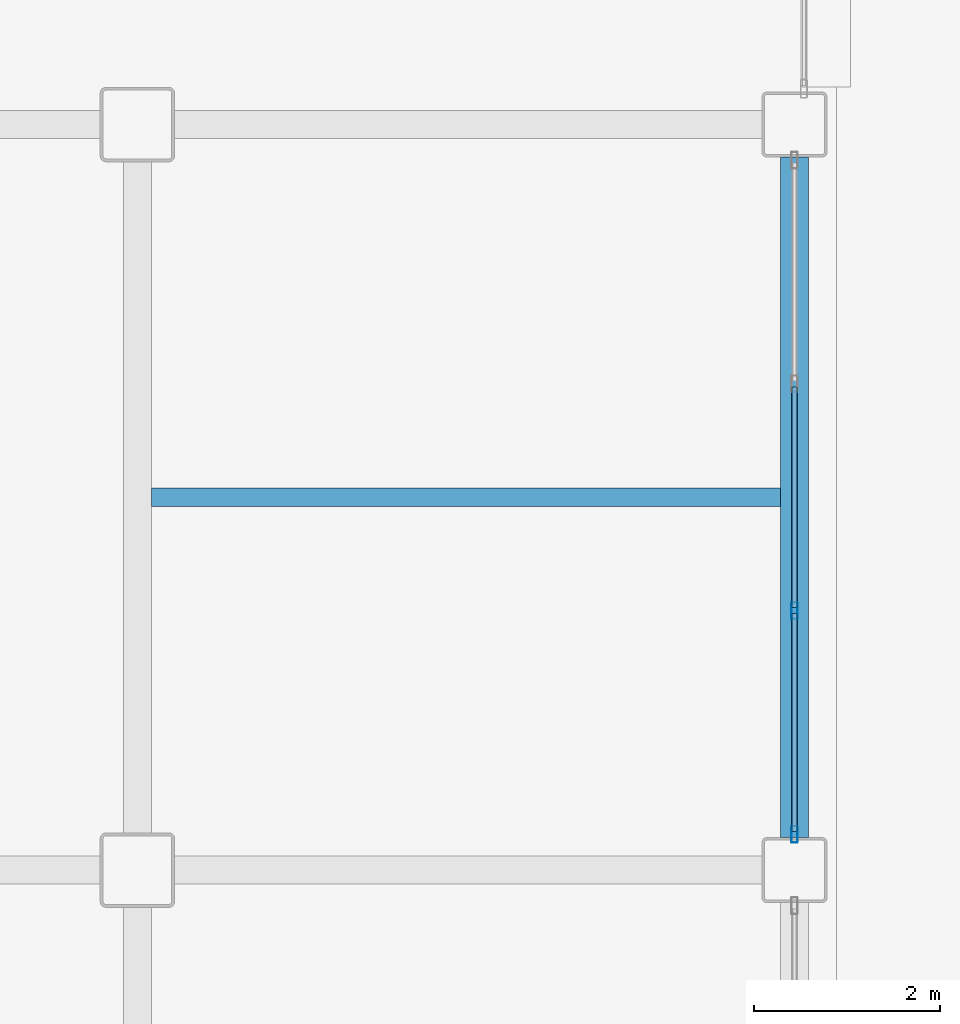
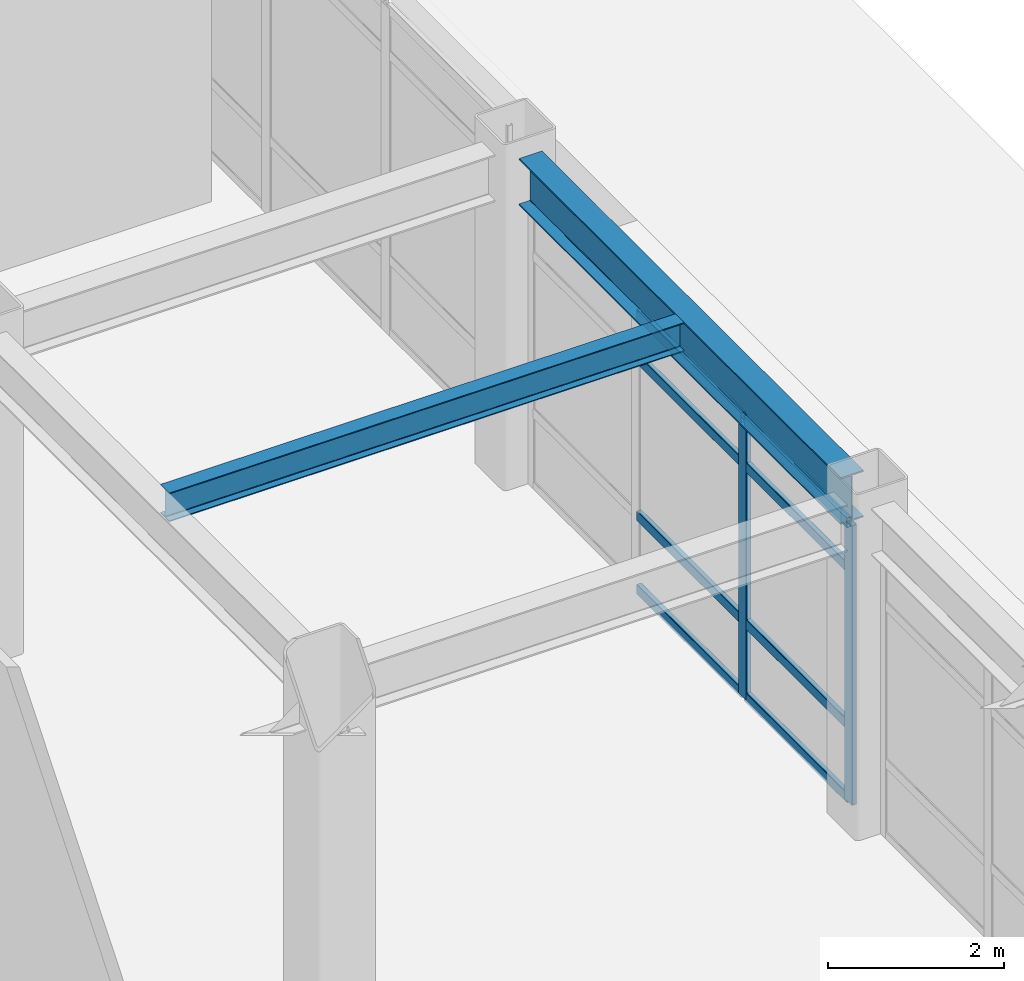
# One storey, part 109 of 172: 10 members, 2 beams, 1 element without a shape of its own.
"""IFC4 building model written with IfcOpenShell, lengths in metres."""

import ifcopenshell
import ifcopenshell.guid

model = None  # the IFC model being written
_history = None  # IfcOwnerHistory: only IFC2X3 demands one
_inside = {}  # id of a spatial element -> (the spatial element, [elements in it])
_under = {}  # id of a project, library or spatial element -> (it, [spatial elements below it])
_declared = {}  # id of a project -> (the project, [libraries it declares])
_typed = {}  # id of a type object -> (the type object, [elements of that type])
_made_of = {}  # id of a material, layer set ... -> (it, [elements and type objects made of it])


def new_model(schema):
    """Start an empty IFC model of exactly this schema.

    Asked for "IFC4X3", IfcOpenShell would pick the latest addendum, in which some entities
    have other attributes; the version numbers below select the first issue.
    IFC2X3 requires an IfcOwnerHistory on every rooted entity: one is made here for all.
    """
    global model, _history
    if schema == "IFC4X3":
        model = ifcopenshell.file(schema_version=(4, 3, 0, 0))
    else:
        model = ifcopenshell.file(schema=schema)
    _inside.clear()
    _under.clear()
    _declared.clear()
    _typed.clear()
    _made_of.clear()
    _history = None
    if model.schema == "IFC2X3":
        org = make("IfcOrganization", Name="unknown")
        user = make(
            "IfcPersonAndOrganization",
            ThePerson=make("IfcPerson", FamilyName="unknown"),
            TheOrganization=org,
        )
        app = make(
            "IfcApplication",
            ApplicationDeveloper=org,
            Version="unknown",
            ApplicationFullName="unknown",
            ApplicationIdentifier="unknown",
        )
        _history = make(
            "IfcOwnerHistory",
            OwningUser=user,
            OwningApplication=app,
            ChangeAction="ADDED",
            CreationDate=0,
        )
    return model


def make(cls, **values):
    """One entity of the class cls with the attributes given. An attribute that is None is left unset."""
    return model.create_entity(
        cls, **{name: value for name, value in values.items() if value is not None}
    )


def rooted(cls, **values):
    """An entity with a GlobalId (a new one), such as an element, a storey or a relation."""
    return make(cls, GlobalId=ifcopenshell.guid.new(), OwnerHistory=_history, **values)


def si_unit(unit_type, name, prefix=None):
    """IfcSIUnit, for example si_unit("LENGTHUNIT", "METRE", prefix="MILLI")."""
    return make("IfcSIUnit", UnitType=unit_type, Prefix=prefix, Name=name)


def assignment(units):
    """IfcUnitAssignment: the units of a project."""
    return None if units is None else make("IfcUnitAssignment", Units=units)


def point(xyz):
    """IfcCartesianPoint."""
    return None if xyz is None else make("IfcCartesianPoint", Coordinates=xyz)


def direction(xyz):
    """IfcDirection."""
    return None if xyz is None else make("IfcDirection", DirectionRatios=xyz)


def frame(location, z_axis=None, x_axis=None):
    """IfcAxis2Placement3D, a coordinate frame: its origin and axes. An axis left out is left unset."""
    return make(
        "IfcAxis2Placement3D",
        Location=point(location),
        Axis=direction(z_axis),
        RefDirection=direction(x_axis),
    )


def frame_2d(location, x_axis=None):
    """IfcAxis2Placement2D, a coordinate frame in the plane: its origin and x axis."""
    return make(
        "IfcAxis2Placement2D", Location=point(location), RefDirection=direction(x_axis)
    )


def origin():
    """The frame at (0, 0, 0) with its axes left unset."""
    return frame((0.0, 0.0, 0.0))


def origin_2d():
    """The frame at (0, 0) in the plane with its x axis left unset."""
    return frame_2d((0.0, 0.0))


def place(relative_to, where):
    """IfcLocalPlacement: puts the frame where relative to a parent placement (None: the world)."""
    return make(
        "IfcLocalPlacement", PlacementRelTo=relative_to, RelativePlacement=where
    )


def context(
    kind, dimensions, precision=None, world=None, true_north=None, identifier=None
):
    """IfcGeometricRepresentationContext, for example the 3D "Model" context."""
    return make(
        "IfcGeometricRepresentationContext",
        ContextIdentifier=identifier,
        ContextType=kind,
        CoordinateSpaceDimension=dimensions,
        Precision=precision,
        WorldCoordinateSystem=world,
        TrueNorth=true_north,
    )


def subcontext(parent, identifier, kind, view, scale=None):
    """IfcGeometricRepresentationSubContext, for example "Body" below "Model"."""
    return make(
        "IfcGeometricRepresentationSubContext",
        ContextIdentifier=identifier,
        ContextType=kind,
        ParentContext=parent,
        TargetScale=scale,
        TargetView=view,
    )


def project(units=None, contexts=None):
    """IfcProject with its units and contexts."""
    return rooted(
        "IfcProject",
        Name="project",
        RepresentationContexts=contexts,
        UnitsInContext=assignment(units),
    )


def spatial(cls, under=None, at=None, **own):
    """A site, building, storey or space (cls), placed at a placement, below another one or the project."""
    s = rooted(cls, ObjectPlacement=at, **own)
    if under is not None:
        _under.setdefault(under.id(), (under, []))[1].append(s)
    return s


def profile(cls, at=None, kind="AREA", **sizes):
    """A parametric profile (cls). Its sizes go by their IFC names, for example OverallWidth=200.0."""
    return make(cls, ProfileType=kind, Position=at, **sizes)


def hollow_rectangle(**sizes):
    """IfcRectangleHollowProfileDef."""
    return profile("IfcRectangleHollowProfileDef", **sizes)


def i_section(**sizes):
    """IfcIShapeProfileDef."""
    return profile("IfcIShapeProfileDef", **sizes)


def extrude(swept, where, along, depth):
    """IfcExtrudedAreaSolid: the profile swept, set in the frame where, extruded along a direction by depth."""
    return make(
        "IfcExtrudedAreaSolid",
        SweptArea=swept,
        Position=where,
        ExtrudedDirection=direction(along),
        Depth=depth,
    )


def shape(context_of_items, identifier, shape_type, items):
    """IfcShapeRepresentation: the items that make up one representation, for example the "Body"."""
    return make(
        "IfcShapeRepresentation",
        ContextOfItems=context_of_items,
        RepresentationIdentifier=identifier,
        RepresentationType=shape_type,
        Items=items,
    )


def material(Name=None, Category=None):
    """IfcMaterial."""
    return make("IfcMaterial", Name=Name, Category=Category)


def layer(
    of_material, thickness, ventilated=None, Name=None, Category=None, Priority=None
):
    """IfcMaterialLayer: one layer of a wall or slab, of a material (None: an air gap)."""
    return make(
        "IfcMaterialLayer",
        Material=of_material,
        LayerThickness=thickness,
        IsVentilated=ventilated,
        Name=Name,
        Category=Category,
        Priority=Priority,
    )


def layer_set(layers, Name=None):
    """IfcMaterialLayerSet."""
    return make("IfcMaterialLayerSet", MaterialLayers=layers, LayerSetName=Name)


def material_profile(
    of_material, cross_section, Name=None, Category=None, Priority=None
):
    """IfcMaterialProfile: a cross section and its material."""
    return make(
        "IfcMaterialProfile",
        Name=Name,
        Material=of_material,
        Profile=cross_section,
        Priority=Priority,
        Category=Category,
    )


def profile_set(profiles, Name=None, composite=None):
    """IfcMaterialProfileSet."""
    return make(
        "IfcMaterialProfileSet",
        Name=Name,
        MaterialProfiles=profiles,
        CompositeProfile=composite,
    )


def made_of(thing, what):
    """Note that an element or type object is made of a material, layer set ...; save() writes the relation."""
    if what is not None:
        _made_of.setdefault(what.id(), (what, []))[1].append(thing)
    return thing


def type_object(cls, material=None, **own):
    """A type object (cls), such as IfcWallType, which elements share."""
    return made_of(rooted(cls, **own), material)


def element(
    cls,
    number,
    at=None,
    inside=None,
    cuts=None,
    type_object=None,
    material=None,
    context=None,
    identifier="Body",
    shape_type=None,
    held_by="IfcProductDefinitionShape",
    body=None,
    shapes=None,
    **own,
):
    """One element of the class cls, such as IfcWall. Its Tag is "e" and its number.

    at: its placement. inside: the storey or other place that contains it. cuts: it is an
    opening in that element (IfcRelVoidsElement). A single representation is given by context,
    identifier, shape_type and body (its items); several are given by shapes. held_by: the class
    of the entity that holds the representations. save() writes the other relations.
    """
    e = rooted(cls, Tag="e%d" % number, ObjectPlacement=at, **own)
    if body is not None:
        shapes = [shape(context, identifier, shape_type, body)]
    if shapes is not None:
        e.Representation = make(held_by, Representations=shapes)
    if inside is not None:
        _inside.setdefault(inside.id(), (inside, []))[1].append(e)
    if cuts is not None:
        rooted(
            "IfcRelVoidsElement", RelatingBuildingElement=cuts, RelatedOpeningElement=e
        )
    if type_object is not None:
        _typed.setdefault(type_object.id(), (type_object, []))[1].append(e)
    return made_of(e, material)


def aggregate(whole, parts):
    """IfcRelAggregates: a whole, such as a stair, and the parts it consists of."""
    return rooted("IfcRelAggregates", RelatingObject=whole, RelatedObjects=parts)


def save(model, path):
    """Write the relations noted so far, then the file.

    IfcRelAggregates (storeys below a building ...), IfcRelContainedInSpatialStructure (elements
    in a storey), IfcRelDefinesByType, IfcRelAssociatesMaterial and IfcRelDeclares: one each for
    every whole, place, type object, material and project.
    """
    for whole, parts in _under.values():
        aggregate(whole, parts)
    for where, things in _inside.values():
        rooted(
            "IfcRelContainedInSpatialStructure",
            RelatedElements=things,
            RelatingStructure=where,
        )
    for kind, things in _typed.values():
        rooted("IfcRelDefinesByType", RelatedObjects=things, RelatingType=kind)
    for what, things in _made_of.values():
        rooted("IfcRelAssociatesMaterial", RelatedObjects=things, RelatingMaterial=what)
    for by, libraries in _declared.values():
        rooted("IfcRelDeclares", RelatingContext=by, RelatedDefinitions=libraries)
    model.write(path)


model = new_model("IFC4")

# Units and contexts
model_context = context("Model", 3, precision=1e-05, world=origin(), true_north=direction((0.0, 1.0)))
body_context = subcontext(model_context, "Body", "Model", "MODEL_VIEW")
ifc_project = project(units=[si_unit("LENGTHUNIT", "METRE"), si_unit("AREAUNIT", "SQUARE_METRE"), si_unit("VOLUMEUNIT", "CUBIC_METRE"), si_unit("PLANEANGLEUNIT", "RADIAN"), si_unit("MASSUNIT", "GRAM", prefix="KILO")], contexts=[model_context])

# Site, building, storey
site_placement = place(None, origin())
site = spatial("IfcSite", under=ifc_project, at=site_placement, CompositionType="ELEMENT")
building_placement = place(site_placement, origin())
building = spatial("IfcBuilding", under=site, at=building_placement, Name="Kazehara Bluff Congress Hotel", CompositionType="ELEMENT")
storey_placement = place(building_placement, frame((0.0, 0.0, 5.39990234375)))
storey = spatial("IfcBuildingStorey", under=building, at=storey_placement, Name="L01", CompositionType="ELEMENT", Elevation=5.39990234375)

# Curtain wall, members
ifc_material_1 = material(Name="Anodised aluminium", Category="aluminium")
ifc_layer = layer(ifc_material_1, 0.159912109375)
ifc_layer_set = layer_set([ifc_layer], Name="Anodised aluminium")
curtain_wall_type = type_object("IfcCurtainWallType", Name="TP-CW-80", PredefinedType="NOTDEFINED", material=ifc_layer_set)
curtain_wall_placement = place(storey_placement, origin())
curtain_wall = element("IfcCurtainWall", 1, at=curtain_wall_placement, inside=storey, type_object=curtain_wall_type, Name="L01 curtain wall CW-80 CW-V5-L01-X16755-5680", PredefinedType="NOTDEFINED")
ifc_material_2 = material(Name="Anodised aluminium", Category="aluminium")
ifc_material_profile_1 = material_profile(ifc_material_2, hollow_rectangle(XDim=0.06494140625, YDim=0.179931640625, WallThickness=0.00390625, InnerFilletRadius=0.00390625, OuterFilletRadius=0.008056640625, at=origin_2d()))
ifc_profile_set_1 = profile_set([ifc_material_profile_1], Name="Anodised aluminium")
member_type_1 = type_object("IfcMemberType", Name="TP-CWM-02", PredefinedType="MULLION", material=ifc_profile_set_1)
member_1_placement = place(storey_placement, frame((167.550048828125, 56.83251953125, 0.0), z_axis=(0.0, 0.0, 1.0), x_axis=(-1.0, 0.0, 0.0)))
member_1 = element("IfcMember", 2, at=member_1_placement, type_object=member_type_1, Name="CW-80 mullion 1", PredefinedType="MULLION", context=body_context, shape_type="SweptSolid", body=[
    extrude(hollow_rectangle(XDim=0.06494140625, YDim=0.179931640625, WallThickness=0.00390625, InnerFilletRadius=0.00390625, OuterFilletRadius=0.008056640625, at=origin_2d()), origin(), (0.0, 0.0, 1.0), 3.875),
])
member_2_placement = place(storey_placement, frame((167.550048828125, 59.2333984375, 0.0), z_axis=(0.0, 0.0, 1.0), x_axis=(-1.0, 0.0, 0.0)))
member_2 = element("IfcMember", 3, at=member_2_placement, type_object=member_type_1, Name="CW-80 mullion 2", PredefinedType="MULLION", context=body_context, shape_type="SweptSolid", body=[
    extrude(hollow_rectangle(XDim=0.06494140625, YDim=0.179931640625, WallThickness=0.00390625, InnerFilletRadius=0.00390625, OuterFilletRadius=0.008056640625, at=origin_2d()), origin(), (0.0, 0.0, 1.0), 3.875),
])
ifc_material_3 = material(Name="Anodised aluminium", Category="aluminium")
ifc_material_profile_2 = material_profile(ifc_material_3, hollow_rectangle(XDim=0.06494140625, YDim=0.139892578125, WallThickness=0.00390625, InnerFilletRadius=0.00390625, OuterFilletRadius=0.008056640625, at=origin_2d()))
ifc_profile_set_2 = profile_set([ifc_material_profile_2], Name="Anodised aluminium")
member_type_2 = type_object("IfcMemberType", Name="TP-CWT-02", PredefinedType="USERDEFINED", material=ifc_profile_set_2)
member_3_placement = place(storey_placement, frame((167.550048828125, 56.864990234375, 0.03271484375), z_axis=(0.0, 1.0, 0.0), x_axis=(-1.0, 0.0, 0.0)))
member_3 = element("IfcMember", 4, at=member_3_placement, type_object=member_type_2, Name="CW-80 transom 1.1", ObjectType="TRANSOM", PredefinedType="USERDEFINED", context=body_context, shape_type="SweptSolid", body=[
    extrude(hollow_rectangle(XDim=0.06494140625, YDim=0.139892578125, WallThickness=0.00390625, InnerFilletRadius=0.00390625, OuterFilletRadius=0.008056640625, at=origin_2d()), origin(), (0.0, 0.0, 1.0), 2.3359375),
])
member_4_placement = place(storey_placement, frame((167.550048828125, 56.864990234375, 1.050048828125), z_axis=(0.0, 1.0, 0.0), x_axis=(-1.0, 0.0, 0.0)))
member_4 = element("IfcMember", 5, at=member_4_placement, type_object=member_type_2, Name="CW-80 transom 1.2", ObjectType="TRANSOM", PredefinedType="USERDEFINED", context=body_context, shape_type="SweptSolid", body=[
    extrude(hollow_rectangle(XDim=0.06494140625, YDim=0.139892578125, WallThickness=0.00390625, InnerFilletRadius=0.00390625, OuterFilletRadius=0.008056640625, at=origin_2d()), origin(), (0.0, 0.0, 1.0), 2.3359375),
])
member_5_placement = place(storey_placement, frame((167.550048828125, 56.864990234375, 3.22509765625), z_axis=(0.0, 1.0, 0.0), x_axis=(-1.0, 0.0, 0.0)))
member_5 = element("IfcMember", 6, at=member_5_placement, type_object=member_type_2, Name="CW-80 transom 1.3", ObjectType="TRANSOM", PredefinedType="USERDEFINED", context=body_context, shape_type="SweptSolid", body=[
    extrude(hollow_rectangle(XDim=0.06494140625, YDim=0.139892578125, WallThickness=0.00390625, InnerFilletRadius=0.00390625, OuterFilletRadius=0.008056640625, at=origin_2d()), origin(), (0.0, 0.0, 1.0), 2.3359375),
])
member_6_placement = place(storey_placement, frame((167.550048828125, 56.864990234375, 3.842529296875), z_axis=(0.0, 1.0, 0.0), x_axis=(-1.0, 0.0, 0.0)))
member_6 = element("IfcMember", 7, at=member_6_placement, type_object=member_type_2, Name="CW-80 transom 1.4", ObjectType="TRANSOM", PredefinedType="USERDEFINED", context=body_context, shape_type="SweptSolid", body=[
    extrude(hollow_rectangle(XDim=0.06494140625, YDim=0.139892578125, WallThickness=0.00390625, InnerFilletRadius=0.00390625, OuterFilletRadius=0.008056640625, at=origin_2d()), origin(), (0.0, 0.0, 1.0), 2.3359375),
])
member_7_placement = place(storey_placement, frame((167.550048828125, 59.265869140625, 0.03271484375), z_axis=(0.0, 1.0, 0.0), x_axis=(-1.0, 0.0, 0.0)))
member_7 = element("IfcMember", 8, at=member_7_placement, type_object=member_type_2, Name="CW-80 transom 2.1", ObjectType="TRANSOM", PredefinedType="USERDEFINED", context=body_context, shape_type="SweptSolid", body=[
    extrude(hollow_rectangle(XDim=0.06494140625, YDim=0.139892578125, WallThickness=0.00390625, InnerFilletRadius=0.00390625, OuterFilletRadius=0.008056640625, at=origin_2d()), origin(), (0.0, 0.0, 1.0), 2.368408203125),
])
member_8_placement = place(storey_placement, frame((167.550048828125, 59.265869140625, 1.050048828125), z_axis=(0.0, 1.0, 0.0), x_axis=(-1.0, 0.0, 0.0)))
member_8 = element("IfcMember", 9, at=member_8_placement, type_object=member_type_2, Name="CW-80 transom 2.2", ObjectType="TRANSOM", PredefinedType="USERDEFINED", context=body_context, shape_type="SweptSolid", body=[
    extrude(hollow_rectangle(XDim=0.06494140625, YDim=0.139892578125, WallThickness=0.00390625, InnerFilletRadius=0.00390625, OuterFilletRadius=0.008056640625, at=origin_2d()), origin(), (0.0, 0.0, 1.0), 2.368408203125),
])
member_9_placement = place(storey_placement, frame((167.550048828125, 59.265869140625, 3.22509765625), z_axis=(0.0, 1.0, 0.0), x_axis=(-1.0, 0.0, 0.0)))
member_9 = element("IfcMember", 10, at=member_9_placement, type_object=member_type_2, Name="CW-80 transom 2.3", ObjectType="TRANSOM", PredefinedType="USERDEFINED", context=body_context, shape_type="SweptSolid", body=[
    extrude(hollow_rectangle(XDim=0.06494140625, YDim=0.139892578125, WallThickness=0.00390625, InnerFilletRadius=0.00390625, OuterFilletRadius=0.008056640625, at=origin_2d()), origin(), (0.0, 0.0, 1.0), 2.368408203125),
])
member_10_placement = place(storey_placement, frame((167.550048828125, 59.265869140625, 3.842529296875), z_axis=(0.0, 1.0, 0.0), x_axis=(-1.0, 0.0, 0.0)))
member_10 = element("IfcMember", 11, at=member_10_placement, type_object=member_type_2, Name="CW-80 transom 2.4", ObjectType="TRANSOM", PredefinedType="USERDEFINED", context=body_context, shape_type="SweptSolid", body=[
    extrude(hollow_rectangle(XDim=0.06494140625, YDim=0.139892578125, WallThickness=0.00390625, InnerFilletRadius=0.00390625, OuterFilletRadius=0.008056640625, at=origin_2d()), origin(), (0.0, 0.0, 1.0), 2.368408203125),
])
aggregate(curtain_wall, [member_1, member_2, member_3, member_4, member_5, member_6, member_7, member_8, member_9, member_10])

# Beams
ifc_material_4 = material(Name="Steel SN490B", Category="steel")
ifc_material_profile_3 = material_profile(ifc_material_4, i_section(OverallWidth=0.300048828125, OverallDepth=0.64990234375, WebThickness=0.011962890625, FlangeThickness=0.02001953125, FilletRadius=0.012939453125, at=origin_2d()))
ifc_profile_set_3 = profile_set([ifc_material_profile_3], Name="Steel SN490B")
beam_type_1 = type_object("IfcBeamType", Name="TP-G-03", PredefinedType="BEAM", material=ifc_profile_set_3)
beam_1_placement = place(storey_placement, frame((167.550048828125, 56.800048828125, 4.22509765625), z_axis=(0.0, 1.0, 0.0), x_axis=(-1.0, 0.0, 0.0)))
element("IfcBeam", 12, at=beam_1_placement, inside=storey, type_object=beam_type_1, Name="L01 girder G-03 266", PredefinedType="BEAM", context=body_context, shape_type="SweptSolid", body=[
    extrude(i_section(OverallWidth=0.300048828125, OverallDepth=0.64990234375, WebThickness=0.011962890625, FlangeThickness=0.02001953125, FilletRadius=0.012939453125, at=origin_2d()), origin(), (0.0, 0.0, 1.0), 7.300048828125),
])
ifc_material_5 = material(Name="Steel SN400B", Category="steel")
ifc_material_profile_4 = material_profile(ifc_material_5, i_section(OverallWidth=0.199951171875, OverallDepth=0.39990234375, WebThickness=0.008056640625, FlangeThickness=0.012939453125, FilletRadius=0.012939453125, at=origin_2d()))
ifc_profile_set_4 = profile_set([ifc_material_profile_4], Name="Steel SN400B")
beam_type_2 = type_object("IfcBeamType", Name="TP-J-03", PredefinedType="JOIST", material=ifc_profile_set_4)
beam_2_placement = place(storey_placement, frame((160.64990234375, 60.449951171875, 4.35009765625), z_axis=(1.0, 0.0, 0.0), x_axis=(0.0, 1.0, 0.0)))
element("IfcBeam", 13, at=beam_2_placement, inside=storey, type_object=beam_type_2, Name="L01 secondary joist J-03 77", PredefinedType="JOIST", context=body_context, shape_type="SweptSolid", body=[
    extrude(i_section(OverallWidth=0.199951171875, OverallDepth=0.39990234375, WebThickness=0.008056640625, FlangeThickness=0.012939453125, FilletRadius=0.012939453125, at=origin_2d()), origin(), (0.0, 0.0, 1.0), 6.75),
])

save(model, "model.ifc")
